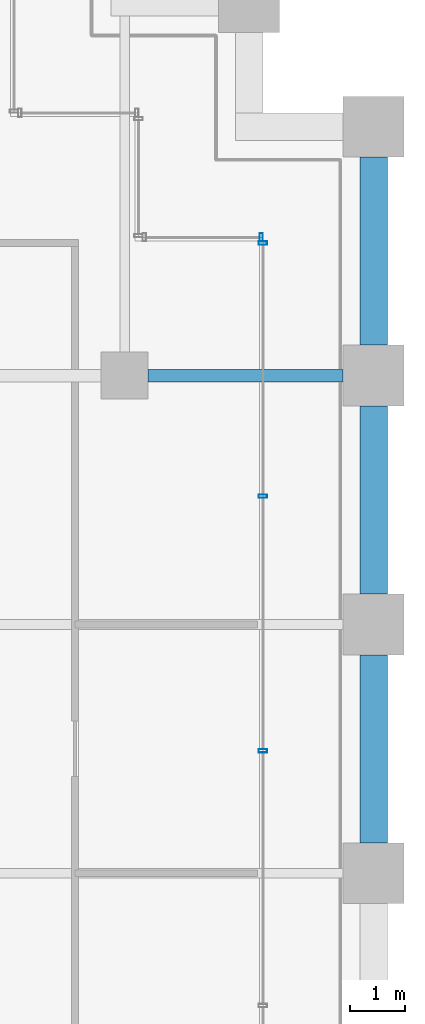
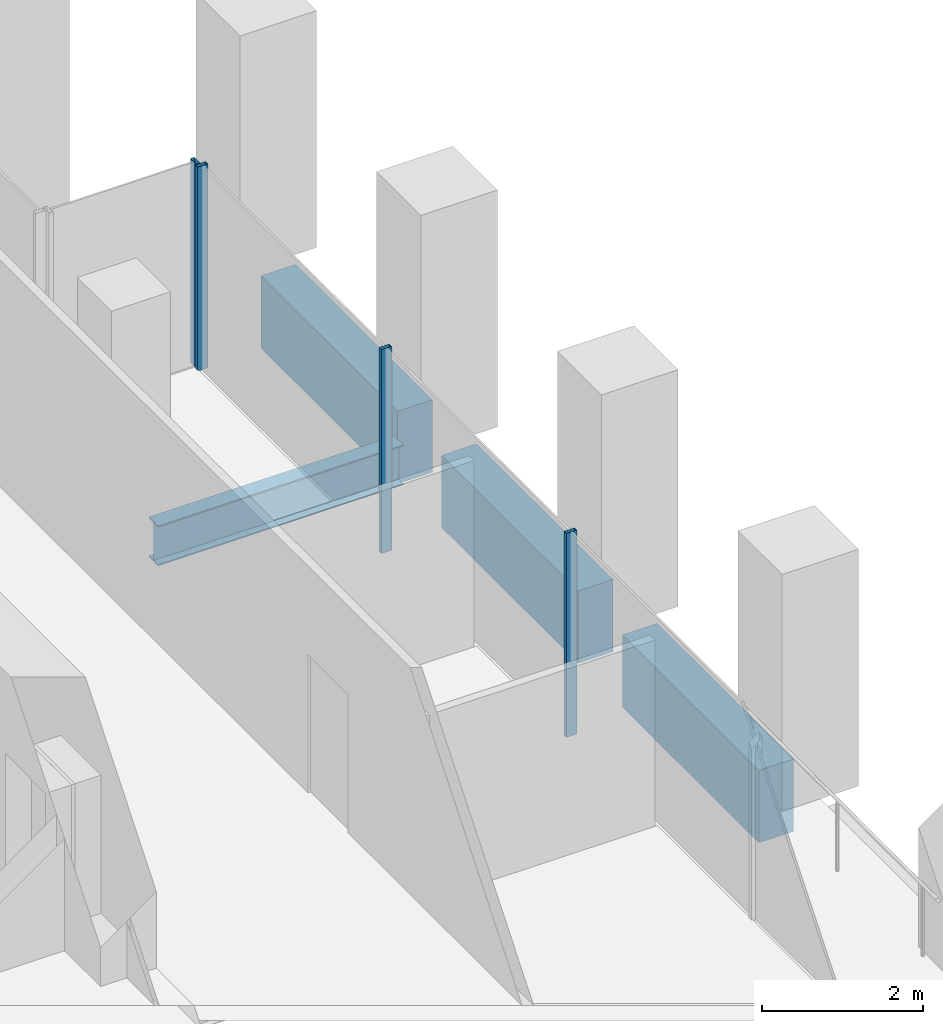
# One storey, part 47 of 56: 4 beams, 4 members, 2 elements without a shape of their own.
"""IFC4 building model written with IfcOpenShell, lengths in metres."""

from ifc_helpers import new_model, si_unit, direction, frame, origin, origin_2d, place, context, subcontext, project, spatial, rectangle, hollow_rectangle, i_section, extrude, material, material_profile, profile_set, type_object, element, aggregate, save


model = new_model("IFC4")

# Units and contexts
model_context = context("Model", 3, precision=1e-05, world=origin(), true_north=direction((0.0, 1.0)))
body_context = subcontext(model_context, "Body", "Model", "MODEL_VIEW")
ifc_project = project(units=[si_unit("LENGTHUNIT", "METRE"), si_unit("AREAUNIT", "SQUARE_METRE"), si_unit("VOLUMEUNIT", "CUBIC_METRE"), si_unit("PLANEANGLEUNIT", "RADIAN"), si_unit("MASSUNIT", "GRAM", prefix="KILO")], contexts=[model_context])

# Site, building, storey
site_placement = place(None, origin())
site = spatial("IfcSite", under=ifc_project, at=site_placement, CompositionType="ELEMENT")
building_placement = place(site_placement, origin())
building = spatial("IfcBuilding", under=site, at=building_placement, Name="Altepetl Exchange Towers", CompositionType="ELEMENT")
storey_placement = place(building_placement, frame((0.0, 0.0, 76.199951171875)))
storey = spatial("IfcBuildingStorey", under=building, at=storey_placement, Name="L18", CompositionType="ELEMENT", Elevation=76.199951171875)

# Beam
ifc_material_1 = material(Name="Steel S355", Category="steel")
ifc_material_profile_1 = material_profile(ifc_material_1, i_section(OverallWidth=0.22802734375, OverallDepth=0.60791015625, WebThickness=0.01123046875, FlangeThickness=0.017333984375, at=origin_2d()), Name="W24X76")
ifc_profile_set_1 = profile_set([ifc_material_profile_1], Name="Steel S355")
beam_type_1 = type_object("IfcBeamType", Name="Girder W24X76", PredefinedType="BEAM", material=ifc_profile_set_1)
beam_1_placement = place(storey_placement, frame((121.925048828125, 49.5, -0.453857421875), z_axis=(1.0, 0.0, 0.0), x_axis=(0.0, 1.0, 0.0)))
element("IfcBeam", 1, at=beam_1_placement, inside=storey, type_object=beam_type_1, Name="gd:B:L18:001", PredefinedType="BEAM", context=body_context, shape_type="SweptSolid", body=[
    extrude(i_section(OverallWidth=0.22802734375, OverallDepth=0.60791015625, WebThickness=0.01123046875, FlangeThickness=0.017333984375, at=origin_2d()), origin(), (0.0, 0.0, 1.0), 3.52490234375),
])

# Curtain wall, members
ifc_material_2 = material(Name="Aluminium 6063-T6 glazing", Category="aluminium")
curtain_wall_type = type_object("IfcCurtainWallType", Name="Loggia glazing system", PredefinedType="NOTDEFINED", material=ifc_material_2)
curtain_wall_1_placement = place(storey_placement, origin())
curtain_wall_1 = element("IfcCurtainWall", 2, at=curtain_wall_1_placement, inside=storey, type_object=curtain_wall_type, Name="CW1 run", PredefinedType="NOTDEFINED")
ifc_material_3 = material(Name="Aluminium 6063-T6", Category="aluminium")
ifc_material_profile_2 = material_profile(ifc_material_3, hollow_rectangle(XDim=0.06005859375, YDim=0.14990234375, WallThickness=0.0029296875, at=origin_2d()), Name="Mullion 60x150 aluminium")
ifc_profile_set_2 = profile_set([ifc_material_profile_2], Name="Aluminium 6063-T6")
member_type = type_object("IfcMemberType", Name="Mullion 60x150 aluminium", PredefinedType="MULLION", material=ifc_profile_set_2)
member_1_placement = place(storey_placement, frame((124.0, 42.71240234375, 0.0), z_axis=(0.0, 0.0, 1.0), x_axis=(0.0, 1.0, 0.0)))
member_1 = element("IfcMember", 3, at=member_1_placement, type_object=member_type, Name="MU1 mullion", PredefinedType="MULLION", context=body_context, shape_type="SweptSolid", body=[
    extrude(hollow_rectangle(XDim=0.06005859375, YDim=0.14990234375, WallThickness=0.0029296875, at=origin_2d()), origin(), (0.0, 0.0, 1.0), 3.10009765625),
])
member_2_placement = place(storey_placement, frame((124.0, 47.31884765625, 0.0), z_axis=(0.0, 0.0, 1.0), x_axis=(0.0, 1.0, 0.0)))
member_2 = element("IfcMember", 4, at=member_2_placement, type_object=member_type, Name="MU1 mullion", PredefinedType="MULLION", context=body_context, shape_type="SweptSolid", body=[
    extrude(hollow_rectangle(XDim=0.06005859375, YDim=0.14990234375, WallThickness=0.0029296875, at=origin_2d()), origin(), (0.0, 0.0, 1.0), 3.10009765625),
])
member_3_placement = place(storey_placement, frame((124.0, 51.89501953125, 0.0), z_axis=(0.0, 0.0, 1.0), x_axis=(0.0, 1.0, 0.0)))
member_3 = element("IfcMember", 5, at=member_3_placement, type_object=member_type, Name="MU1 mullion", PredefinedType="MULLION", context=body_context, shape_type="SweptSolid", body=[
    extrude(hollow_rectangle(XDim=0.06005859375, YDim=0.14990234375, WallThickness=0.0029296875, at=origin_2d()), origin(), (0.0, 0.0, 1.0), 3.10009765625),
])
aggregate(curtain_wall_1, [member_1, member_2, member_3])

# Curtain wall, member
curtain_wall_2_placement = place(storey_placement, origin())
curtain_wall_2 = element("IfcCurtainWall", 6, at=curtain_wall_2_placement, inside=storey, type_object=curtain_wall_type, Name="CW1 run", PredefinedType="NOTDEFINED")
member_4_placement = place(storey_placement, frame((123.969970703125, 52.0, 0.0), z_axis=(0.0, 0.0, 1.0), x_axis=(-1.0, 0.0, 0.0)))
member_4 = element("IfcMember", 7, at=member_4_placement, type_object=member_type, Name="MU1 mullion", PredefinedType="MULLION", context=body_context, shape_type="SweptSolid", body=[
    extrude(hollow_rectangle(XDim=0.06005859375, YDim=0.14990234375, WallThickness=0.0029296875, at=origin_2d()), origin(), (0.0, 0.0, 1.0), 3.10009765625),
])
aggregate(curtain_wall_2, [member_4])

# Beams
ifc_material_4 = material(Name="Concrete C50/60 precast with cantera amarilla facing", Category="concrete")
ifc_material_profile_3 = material_profile(ifc_material_4, rectangle(XDim=0.5, YDim=1.10009765625, at=origin_2d()), Name="500 x 1100")
ifc_profile_set_3 = profile_set([ifc_material_profile_3], Name="Concrete C50/60 precast with cantera amarilla facing")
beam_type_2 = type_object("IfcBeamType", Name="Spandrel beam 500x1100 cantera amarilla", PredefinedType="SPANDREL", material=ifc_profile_set_3)
beam_2_placement = place(storey_placement, frame((126.0, 50.050048828125, -0.699951171875), z_axis=(0.0, 1.0, 0.0), x_axis=(-1.0, 0.0, 0.0)))
element("IfcBeam", 8, at=beam_2_placement, inside=storey, type_object=beam_type_2, Name="sp:B:L18:013", PredefinedType="SPANDREL", context=body_context, shape_type="SweptSolid", body=[
    extrude(rectangle(XDim=0.5, YDim=1.10009765625, at=origin_2d()), origin(), (0.0, 0.0, 1.0), 3.39990234375),
])
ifc_material_5 = material(Name="Concrete C50/60 precast with cantera blanca facing", Category="concrete")
ifc_material_profile_4 = material_profile(ifc_material_5, rectangle(XDim=0.5, YDim=1.10009765625, at=origin_2d()), Name="500 x 1100")
ifc_profile_set_4 = profile_set([ifc_material_profile_4], Name="Concrete C50/60 precast with cantera blanca facing")
beam_type_3 = type_object("IfcBeamType", Name="Spandrel beam 500x1100 cantera blanca", PredefinedType="SPANDREL", material=ifc_profile_set_4)
for number, where, z_axis, x_axis, name in (
    (9, (126.0, 41.050048828125, -0.699951171875), (0.0, 1.0, 0.0), (-1.0, 0.0, 0.0), "sp:B:L18:011"),
    (10, (126.0, 45.550048828125, -0.699951171875), (0.0, 1.0, 0.0), (-1.0, 0.0, 0.0), "sp:B:L18:012"),
):
    element("IfcBeam", number, at=place(storey_placement, frame(where, z_axis=z_axis, x_axis=x_axis)), inside=storey, type_object=beam_type_3, Name=name, PredefinedType="SPANDREL", context=body_context, shape_type="SweptSolid", body=[
        extrude(rectangle(XDim=0.5, YDim=1.10009765625, at=origin_2d()), origin(), (0.0, 0.0, 1.0), 3.39990234375),
    ])

save(model, "model.ifc")
